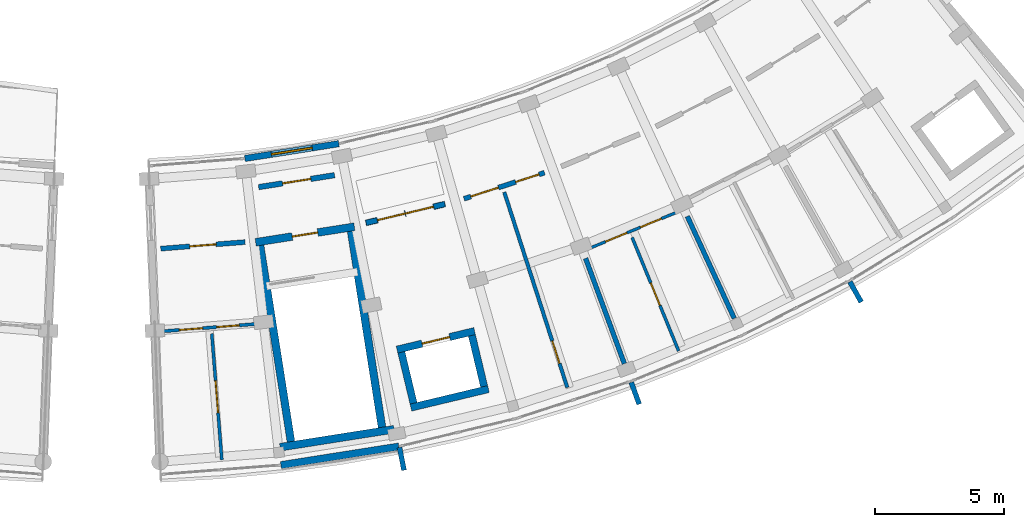
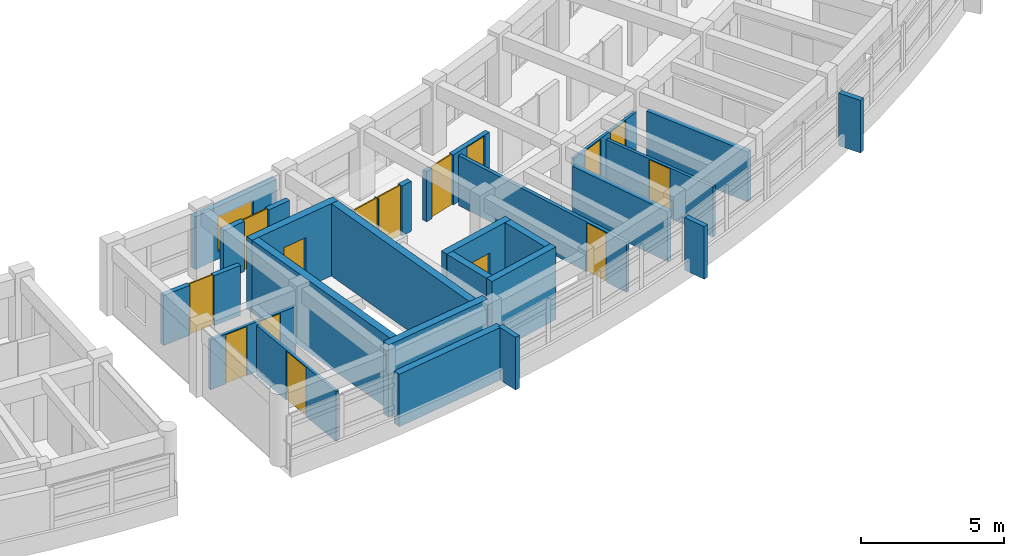
# One storey, part 37 of 54: 24 walls, 15 doors, 1 window, 16 openings.
"""IFC4 building model written with IfcOpenShell, lengths in metres."""

from ifc_helpers import new_model, si_unit, direction, frame, frame_2d, origin, place, context, subcontext, project, spatial, rectangle, extrude, material, layer, layer_set, type_object, element, fill, save


model = new_model("IFC4")

# Units and contexts
model_context = context("Model", 3, precision=1e-05, world=origin(), true_north=direction((0.0, 1.0)))
body_context = subcontext(model_context, "Body", "Model", "MODEL_VIEW")
ifc_project = project(units=[si_unit("LENGTHUNIT", "METRE"), si_unit("AREAUNIT", "SQUARE_METRE"), si_unit("VOLUMEUNIT", "CUBIC_METRE"), si_unit("PLANEANGLEUNIT", "RADIAN"), si_unit("MASSUNIT", "GRAM", prefix="KILO")], contexts=[model_context])

# Site, building, storey
site_placement = place(None, origin())
site = spatial("IfcSite", under=ifc_project, at=site_placement, CompositionType="ELEMENT")
building_placement = place(site_placement, origin())
building = spatial("IfcBuilding", under=site, at=building_placement, Name="Zimvara Arc Housing Community", CompositionType="ELEMENT")
storey_placement = place(building_placement, frame((0.0, 0.0, 23.60009765625)))
storey = spatial("IfcBuildingStorey", under=building, at=storey_placement, Name="L07", CompositionType="ELEMENT", Elevation=23.60009765625)

# Walls
ifc_material_1 = material(Name="Board-Marked Fair-Faced Concrete C35/45", Category="concrete")
ifc_layer_1 = layer(ifc_material_1, 0.195068359375)
ifc_layer_set_1 = layer_set([ifc_layer_1], Name="Board-Marked Fair-Faced Concrete C35/45")
wall_type_1 = type_object("IfcWallType", Name="EWL-PARA-195", PredefinedType="PARAPET", material=ifc_layer_set_1)
wall_1_placement = place(storey_placement, frame((137.521484375, 51.571533203125, 0.0), z_axis=(0.0, 0.0, 1.0), x_axis=(0.194237671596, -0.980954497891, 0.0)))
element("IfcWall", 1, at=wall_1_placement, inside=storey, type_object=wall_type_1, Name="finwall:blkD:L07:out:b2", PredefinedType="PARAPET", context=body_context, shape_type="SweptSolid", body=[
    extrude(rectangle(XDim=0.89990234375, YDim=0.195068359375, at=frame_2d((0.449951171875, 0.0))), origin(), (0.0, 0.0, 1.0), 2.25),
])
for number, where, z_axis, x_axis, name in (
    (2, (146.49755859375, 54.0947265625, 0.0), (0.0, 0.0, 1.0), (0.34529052391, -0.938495846607, 0.0), "finwall:blkD:L07:out:b4"),
    (3, (154.968505859375, 57.990966796875, 0.0), (0.0, 0.0, 1.0), (0.487967253808, -0.872861935939, 0.0), "finwall:blkD:L07:out:b6"),
):
    element("IfcWall", number, at=place(storey_placement, frame(where, z_axis=z_axis, x_axis=x_axis)), inside=storey, type_object=wall_type_1, Name=name, PredefinedType="PARAPET", context=body_context, shape_type="SweptSolid", body=[
        extrude(rectangle(XDim=0.900146484375, YDim=0.195068359375, at=frame_2d((0.4501953125, 0.0))), origin(), (0.0, 0.0, 1.0), 2.25),
    ])

# Wall, opening, window
ifc_material_2 = material(Name="Pigmented Fair-Faced Concrete C35/45", Category="concrete")
ifc_layer_2 = layer(ifc_material_2, 0.2451171875)
ifc_layer_set_2 = layer_set([ifc_layer_2], Name="Pigmented Fair-Faced Concrete C35/45")
wall_type_2 = type_object("IfcWallType", Name="EWL-PIGM-245", PredefinedType="SOLIDWALL", material=ifc_layer_set_2)
wall_2_placement = place(storey_placement, frame((131.5322265625, 62.766845703125, 0.0), z_axis=(0.0, 0.0, 1.0), x_axis=(0.987816646119, 0.155622214512, 0.0)))
wall_2 = element("IfcWall", 4, at=wall_2_placement, inside=storey, type_object=wall_type_2, Name="ewall:blkD:L07:in:b1", PredefinedType="SOLIDWALL", context=body_context, shape_type="SweptSolid", body=[
    extrude(rectangle(XDim=3.68359375, YDim=0.2451171875, at=frame_2d((1.841796875, 0.0))), origin(), (0.0, 0.0, 1.0), 2.25),
])
opening_1_placement = place(wall_2_placement, frame((1.041748046875, 0.0, 0.320068359375)))
opening_1 = element("IfcOpeningElement", 5, at=opening_1_placement, cuts=wall_2, Name="Opening W03", PredefinedType="OPENING", context=body_context, shape_type="SweptSolid", body=[
    extrude(rectangle(XDim=1.60009765625, YDim=1.5, at=frame_2d((0.800048828125, 0.75))), frame((0.0, 0.132568359375, 0.0), z_axis=(0.0, -1.0, 0.0), x_axis=(1.0, 0.0, 0.0)), (0.0, 0.0, 1.0), 0.26513671875),
])
ifc_material_3 = material(Name="Solar Control Low-E Double Glazing", Category="glass")
window_type = type_object("IfcWindowType", Name="WIN-RES-1600x1500", PartitioningType="DOUBLE_PANEL_VERTICAL", PredefinedType="WINDOW", material=ifc_material_3)
window_placement = place(opening_1_placement, origin())
window = element("IfcWindow", 6, at=window_placement, inside=storey, type_object=window_type, Name="win:blkD:L07:in:b1", OverallHeight=1.5, OverallWidth=1.60009765625, PartitioningType="DOUBLE_PANEL_VERTICAL", PredefinedType="WINDOW", context=body_context, shape_type="SweptSolid", body=[
    extrude(rectangle(XDim=1.60009765625, YDim=1.5, at=frame_2d((0.800048828125, 0.75))), frame((0.0, 0.030029296875, 0.0), z_axis=(0.0, -1.0, 0.0), x_axis=(1.0, 0.0, 0.0)), (0.0, 0.0, 1.0), 0.06005859375),
])
fill(opening_1, window)

# Wall
ifc_material_4 = material(Name="Board-Marked Fair-Faced Concrete C35/45", Category="concrete")
ifc_layer_3 = layer(ifc_material_4, 0.281982421875)
ifc_layer_set_3 = layer_set([ifc_layer_3], Name="Board-Marked Fair-Faced Concrete C35/45")
wall_type_3 = type_object("IfcWallType", Name="EWL-VAR-24", PredefinedType="SOLIDWALL", material=ifc_layer_set_3)
wall_3_placement = place(storey_placement, frame((132.927734375, 50.888671875, 0.0), z_axis=(0.0, 0.0, 1.0), x_axis=(0.987828826394, 0.155544880165, 0.0)))
element("IfcWall", 7, at=wall_3_placement, inside=storey, type_object=wall_type_3, Name="ewall:blkD:L07:out:b1", PredefinedType="SOLIDWALL", context=body_context, shape_type="SweptSolid", body=[
    extrude(rectangle(XDim=4.622314453125, YDim=0.281982421875, at=frame_2d((2.31103515625, 0.0))), origin(), (0.0, 0.0, 1.0), 2.25),
])

# Wall, opening, door
ifc_material_5 = material(Name="Concrete C35/45", Category="concrete")
ifc_layer_4 = layer(ifc_material_5, 0.2099609375)
ifc_layer_set_4 = layer_set([ifc_layer_4], Name="Concrete C35/45")
wall_type_4 = type_object("IfcWallType", Name="IWL-CCF-210", PredefinedType="SOLIDWALL", material=ifc_layer_set_4)
wall_4_placement = place(storey_placement, frame((132.065185546875, 61.6572265625, 0.0), z_axis=(0.0, 0.0, 1.0), x_axis=(0.987816121487, 0.155625544594, 0.0)))
wall_4 = element("IfcWall", 8, at=wall_4_placement, inside=storey, type_object=wall_type_4, Name="iwall:blkD:L07:ccf_div:b1", PredefinedType="SOLIDWALL", context=body_context, shape_type="SweptSolid", body=[
    extrude(rectangle(XDim=2.97607421875, YDim=0.2099609375, at=frame_2d((1.488037109375, 0.0))), origin(), (0.0, 0.0, 1.0), 2.139892578125),
])
opening_2_placement = place(wall_4_placement, frame((0.93798828125, 0.0, 0.0)))
opening_2 = element("IfcOpeningElement", 9, at=opening_2_placement, cuts=wall_4, Name="Opening FD-CCF1", PredefinedType="OPENING", context=body_context, shape_type="SweptSolid", body=[
    extrude(rectangle(XDim=1.10009765625, YDim=2.14990234375, at=frame_2d((0.550048828125, 1.074951171875))), frame((0.0, 0.114990234375, 0.0), z_axis=(0.0, -1.0, 0.0), x_axis=(1.0, 0.0, 0.0)), (0.0, 0.0, 1.0), 0.22998046875),
])
ifc_material_6 = material(Name="Anodised Aluminium AW-6063", Category="aluminium")
door_type_1 = type_object("IfcDoorType", Name="IDR-CCF-1100x2150", OperationType="NOTDEFINED", PredefinedType="DOOR", material=ifc_material_6)
door_1_placement = place(opening_2_placement, origin())
door_1 = element("IfcDoor", 10, at=door_1_placement, inside=storey, type_object=door_type_1, Name="idoor:blkD:L07:ccf_in:b1", OperationType="SINGLE_SWING_LEFT", OverallHeight=2.14990234375, OverallWidth=1.10009765625, PredefinedType="DOOR", context=body_context, shape_type="SweptSolid", body=[
    extrude(rectangle(XDim=1.10009765625, YDim=2.14990234375, at=frame_2d((0.550048828125, 1.074951171875))), frame((0.0, 0.02490234375, 0.0), z_axis=(0.0, -1.0, 0.0), x_axis=(1.0, 0.0, 0.0)), (0.0, 0.0, 1.0), 0.050048828125),
])
fill(opening_2, door_1)

# Wall, openings, doors
wall_5_placement = place(storey_placement, frame((136.2265625, 60.272216796875, 0.0), z_axis=(0.0, 0.0, 1.0), x_axis=(0.972564346632, 0.232634029456, 0.0)))
wall_5 = element("IfcWall", 11, at=wall_5_placement, inside=storey, type_object=wall_type_4, Name="iwall:blkD:L07:ll_div:b2", PredefinedType="SOLIDWALL", context=body_context, shape_type="SweptSolid", body=[
    extrude(rectangle(XDim=3.136962890625, YDim=0.2099609375, at=frame_2d((1.568359375, 0.0))), origin(), (0.0, 0.0, 1.0), 2.139892578125),
])
opening_3_placement = place(wall_5_placement, frame((0.449951171875, 0.0, 0.0)))
opening_3 = element("IfcOpeningElement", 12, at=opening_3_placement, cuts=wall_5, Name="Opening FD-CCF1", PredefinedType="OPENING", context=body_context, shape_type="SweptSolid", body=[
    extrude(rectangle(XDim=1.10009765625, YDim=2.14990234375, at=frame_2d((0.550048828125, 1.074951171875))), frame((0.0, 0.114990234375, 0.0), z_axis=(0.0, -1.0, 0.0), x_axis=(1.0, 0.0, 0.0)), (0.0, 0.0, 1.0), 0.22998046875),
])
opening_4_placement = place(wall_5_placement, frame((1.56689453125, 0.0, 0.0)))
opening_4 = element("IfcOpeningElement", 13, at=opening_4_placement, cuts=wall_5, Name="Opening D07", PredefinedType="OPENING", context=body_context, shape_type="SweptSolid", body=[
    extrude(rectangle(XDim=1.1201171875, YDim=2.14990234375, at=frame_2d((0.56005859375, 1.074951171875))), frame((0.0, 0.114990234375, 0.0), z_axis=(0.0, -1.0, 0.0), x_axis=(1.0, 0.0, 0.0)), (0.0, 0.0, 1.0), 0.22998046875),
])
ifc_material_7 = material(Name="Mozambican Hardwood", Category="wood")
door_type_2 = type_object("IfcDoorType", Name="IDR-AMN-1120x2150", OperationType="NOTDEFINED", PredefinedType="DOOR", material=ifc_material_7)
door_2_placement = place(opening_4_placement, origin())
door_2 = element("IfcDoor", 14, at=door_2_placement, inside=storey, type_object=door_type_2, Name="idoor:blkD:L07:rs_in:b2", OperationType="SINGLE_SWING_LEFT", OverallHeight=2.14990234375, OverallWidth=1.1201171875, PredefinedType="DOOR", context=body_context, shape_type="SweptSolid", body=[
    extrude(rectangle(XDim=1.1201171875, YDim=2.14990234375, at=frame_2d((0.56005859375, 1.074951171875))), frame((0.0, 0.02490234375, 0.0), z_axis=(0.0, -1.0, 0.0), x_axis=(1.0, 0.0, 0.0)), (0.0, 0.0, 1.0), 0.050048828125),
])
fill(opening_4, door_2)
door_3_placement = place(opening_3_placement, origin())
door_3 = element("IfcDoor", 15, at=door_3_placement, inside=storey, type_object=door_type_1, Name="idoor:blkD:L07:ll_in:b2", OperationType="SINGLE_SWING_RIGHT", OverallHeight=2.14990234375, OverallWidth=1.10009765625, PredefinedType="DOOR", context=body_context, shape_type="SweptSolid", body=[
    extrude(rectangle(XDim=1.10009765625, YDim=2.14990234375, at=frame_2d((0.550048828125, 1.074951171875))), frame((0.0, 0.02490234375, 0.0), z_axis=(0.0, -1.0, 0.0), x_axis=(1.0, 0.0, 0.0)), (0.0, 0.0, 1.0), 0.050048828125),
])
fill(opening_3, door_3)

# Wall, opening, door
ifc_material_8 = material(Name="Concrete C35/45", Category="concrete")
ifc_layer_5 = layer(ifc_material_8, 0.18994140625)
ifc_layer_set_5 = layer_set([ifc_layer_5], Name="Concrete C35/45")
wall_type_5 = type_object("IfcWallType", Name="IWL-CORR-190", PredefinedType="SOLIDWALL", material=ifc_layer_set_5)
wall_6_placement = place(storey_placement, frame((128.273193359375, 59.2744140625, 0.0), z_axis=(0.0, 0.0, 1.0), x_axis=(0.996982624396, 0.077625038827, 0.0)))
wall_6 = element("IfcWall", 16, at=wall_6_placement, inside=storey, type_object=wall_type_5, Name="iwall:blkD:L07:corr_out:b0", PredefinedType="SOLIDWALL", context=body_context, shape_type="SweptSolid", body=[
    extrude(rectangle(XDim=3.27734375, YDim=0.18994140625, at=frame_2d((1.638671875, 0.0))), origin(), (0.0, 0.0, 1.0), 2.139892578125),
])
opening_5_placement = place(wall_6_placement, frame((1.12841796875, 0.0, 0.0)))
opening_5 = element("IfcOpeningElement", 17, at=opening_5_placement, cuts=wall_6, Name="Opening FD-FL2", PredefinedType="OPENING", context=body_context, shape_type="SweptSolid", body=[
    extrude(rectangle(XDim=1.02001953125, YDim=2.14990234375, at=frame_2d((0.510009765625, 1.074951171875))), frame((0.0, 0.10498046875, 0.0), z_axis=(0.0, -1.0, 0.0), x_axis=(1.0, 0.0, 0.0)), (0.0, 0.0, 1.0), 0.2099609375),
])
ifc_material_9 = material(Name="Mozambican Hardwood", Category="wood")
door_type_3 = type_object("IfcDoorType", Name="IDR-FLAT-1020x2150", OperationType="NOTDEFINED", PredefinedType="DOOR", material=ifc_material_9)
door_4_placement = place(opening_5_placement, origin())
door_4 = element("IfcDoor", 18, at=door_4_placement, inside=storey, type_object=door_type_3, Name="idoor:blkD:L07:flat:b0", OperationType="SINGLE_SWING_LEFT", OverallHeight=2.14990234375, OverallWidth=1.02001953125, PredefinedType="DOOR", context=body_context, shape_type="SweptSolid", body=[
    extrude(rectangle(XDim=1.02001953125, YDim=2.14990234375, at=frame_2d((0.510009765625, 1.074951171875))), frame((0.0, 0.02490234375, 0.0), z_axis=(0.0, -1.0, 0.0), x_axis=(1.0, 0.0, 0.0)), (0.0, 0.0, 1.0), 0.050048828125),
])
fill(opening_5, door_4)

# Wall, openings, doors
wall_7_placement = place(storey_placement, frame((140.018798828125, 61.20751953125, 0.0), z_axis=(0.0, 0.0, 1.0), x_axis=(0.951323803878, 0.308193154005, 0.0)))
wall_7 = element("IfcWall", 19, at=wall_7_placement, inside=storey, type_object=wall_type_5, Name="iwall:blkD:L07:corr_out:b3", PredefinedType="SOLIDWALL", context=body_context, shape_type="SweptSolid", body=[
    extrude(rectangle(XDim=3.277099609375, YDim=0.18994140625, at=frame_2d((1.638671875, 0.0))), origin(), (0.0, 0.0, 1.0), 2.139892578125),
])
opening_6_placement = place(wall_7_placement, frame((0.280029296875, 0.0, 0.0)))
opening_6 = element("IfcOpeningElement", 20, at=opening_6_placement, cuts=wall_7, Name="Opening D07", PredefinedType="OPENING", context=body_context, shape_type="SweptSolid", body=[
    extrude(rectangle(XDim=1.1201171875, YDim=2.14990234375, at=frame_2d((0.56005859375, 1.074951171875))), frame((0.0, 0.10498046875, 0.0), z_axis=(0.0, -1.0, 0.0), x_axis=(1.0, 0.0, 0.0)), (0.0, 0.0, 1.0), 0.2099609375),
])
opening_7_placement = place(wall_7_placement, frame((2.10693359375, 0.0, 0.0)))
opening_7 = element("IfcOpeningElement", 21, at=opening_7_placement, cuts=wall_7, Name="Opening D06", PredefinedType="OPENING", context=body_context, shape_type="SweptSolid", body=[
    extrude(rectangle(XDim=0.949951171875, YDim=2.10009765625, at=frame_2d((0.47509765625, 1.050048828125))), frame((0.0, 0.10498046875, 0.0), z_axis=(0.0, -1.0, 0.0), x_axis=(1.0, 0.0, 0.0)), (0.0, 0.0, 1.0), 0.2099609375),
])
door_5_placement = place(opening_6_placement, origin())
door_5 = element("IfcDoor", 22, at=door_5_placement, inside=storey, type_object=door_type_2, Name="idoor:blkD:L07:amen:b3", OperationType="SINGLE_SWING_RIGHT", OverallHeight=2.14990234375, OverallWidth=1.1201171875, PredefinedType="DOOR", context=body_context, shape_type="SweptSolid", body=[
    extrude(rectangle(XDim=1.1201171875, YDim=2.14990234375, at=frame_2d((0.56005859375, 1.074951171875))), frame((0.0, 0.02490234375, 0.0), z_axis=(0.0, -1.0, 0.0), x_axis=(1.0, 0.0, 0.0)), (0.0, 0.0, 1.0), 0.050048828125),
])
fill(opening_6, door_5)
ifc_material_10 = material(Name="Mozambican Hardwood", Category="wood")
door_type_4 = type_object("IfcDoorType", Name="IDR-AWC-0950x2100", OperationType="NOTDEFINED", PredefinedType="DOOR", material=ifc_material_10)
door_6_placement = place(opening_7_placement, origin())
door_6 = element("IfcDoor", 23, at=door_6_placement, inside=storey, type_object=door_type_4, Name="idoor:blkD:L07:cawc:b3", OperationType="SINGLE_SWING_LEFT", OverallHeight=2.10009765625, OverallWidth=0.949951171875, PredefinedType="DOOR", context=body_context, shape_type="SweptSolid", body=[
    extrude(rectangle(XDim=0.949951171875, YDim=2.10009765625, at=frame_2d((0.47509765625, 1.050048828125))), frame((0.0, 0.02490234375, 0.0), z_axis=(0.0, -1.0, 0.0), x_axis=(1.0, 0.0, 0.0)), (0.0, 0.0, 1.0), 0.050048828125),
])
fill(opening_7, door_6)

# Walls
ifc_material_11 = material(Name="Concrete C35/45", Category="concrete")
ifc_layer_6 = layer(ifc_material_11, 0.18505859375)
ifc_layer_set_6 = layer_set([ifc_layer_6], Name="Concrete C35/45")
wall_type_6 = type_object("IfcWallType", Name="IWL-FLAT-185", PredefinedType="SOLIDWALL", material=ifc_layer_set_6)
for number, where, z_axis, x_axis, name in (
    (24, (144.729736328125, 58.89990234375, 0.0), (0.0, 0.0, 1.0), (0.345273579683, -0.938502080537, 0.0), "iwall:blkD:L07:party:b4"),
    (25, (148.670166015625, 60.528076171875, 0.0), (0.0, 0.0, 1.0), (0.417837051164, -0.908521985796, 0.0), "iwall:blkD:L07:party:b5"),
):
    element("IfcWall", number, at=place(storey_placement, frame(where, z_axis=z_axis, x_axis=x_axis)), inside=storey, type_object=wall_type_6, Name=name, PredefinedType="SOLIDWALL", context=body_context, shape_type="SweptSolid", body=[
        extrude(rectangle(XDim=4.35009765625, YDim=0.18505859375, at=frame_2d((2.175048828125, 0.0))), origin(), (0.0, 0.0, 1.0), 2.139892578125),
    ])

# Wall, openings, doors
ifc_material_12 = material(Name="Painted Acoustic Plasterboard")
ifc_layer_7 = layer(ifc_material_12, 0.110107421875)
ifc_layer_set_7 = layer_set([ifc_layer_7], Name="Painted Acoustic Plasterboard")
wall_type_7 = type_object("IfcWallType", Name="IWL-PART-110", PredefinedType="PARTITIONING", material=ifc_layer_set_7)
wall_8_placement = place(storey_placement, frame((144.9033203125, 59.2958984375, 0.0), z_axis=(0.0, 0.0, 1.0), x_axis=(0.924207914011, 0.381889685223, 0.0)))
wall_8 = element("IfcWall", 26, at=wall_8_placement, inside=storey, type_object=wall_type_7, Name="iwall:blkD:L07:srv:b4", PredefinedType="PARTITIONING", context=body_context, shape_type="SweptSolid", body=[
    extrude(rectangle(XDim=3.64013671875, YDim=0.110107421875, at=frame_2d((1.820068359375, 0.0))), origin(), (0.0, 0.0, 1.0), 2.139892578125),
])
opening_8_placement = place(wall_8_placement, frame((0.64990234375, 0.0, 0.0)))
opening_8 = element("IfcOpeningElement", 27, at=opening_8_placement, cuts=wall_8, Name="Opening D01", PredefinedType="OPENING", context=body_context, shape_type="SweptSolid", body=[
    extrude(rectangle(XDim=0.89990234375, YDim=2.10009765625, at=frame_2d((0.449951171875, 1.050048828125))), frame((0.0, 0.06494140625, 0.0), z_axis=(0.0, -1.0, 0.0), x_axis=(1.0, 0.0, 0.0)), (0.0, 0.0, 1.0), 0.130126953125),
])
opening_9_placement = place(wall_8_placement, frame((2.110107421875, 0.0, 0.0)))
opening_9 = element("IfcOpeningElement", 28, at=opening_9_placement, cuts=wall_8, Name="Opening D05", PredefinedType="OPENING", context=body_context, shape_type="SweptSolid", body=[
    extrude(rectangle(XDim=0.8798828125, YDim=2.10009765625, at=frame_2d((0.43994140625, 1.050048828125))), frame((0.0, 0.06494140625, 0.0), z_axis=(0.0, -1.0, 0.0), x_axis=(1.0, 0.0, 0.0)), (0.0, 0.0, 1.0), 0.130126953125),
])
ifc_material_13 = material(Name="Mozambican Hardwood", Category="wood")
door_type_5 = type_object("IfcDoorType", Name="IDR-RM-0900x2100", OperationType="NOTDEFINED", PredefinedType="DOOR", material=ifc_material_13)
door_7_placement = place(opening_8_placement, origin())
door_7 = element("IfcDoor", 29, at=door_7_placement, inside=storey, type_object=door_type_5, Name="idoor:blkD:L07:kit_liv:b4", OperationType="SINGLE_SWING_RIGHT", OverallHeight=2.10009765625, OverallWidth=0.89990234375, PredefinedType="DOOR", context=body_context, shape_type="SweptSolid", body=[
    extrude(rectangle(XDim=0.89990234375, YDim=2.10009765625, at=frame_2d((0.449951171875, 1.050048828125))), frame((0.0, 0.02490234375, 0.0), z_axis=(0.0, -1.0, 0.0), x_axis=(1.0, 0.0, 0.0)), (0.0, 0.0, 1.0), 0.050048828125),
])
fill(opening_8, door_7)
ifc_material_14 = material(Name="Mozambican Hardwood", Category="wood")
door_type_6 = type_object("IfcDoorType", Name="IDR-WC-0880x2100", OperationType="NOTDEFINED", PredefinedType="DOOR", material=ifc_material_14)
door_8_placement = place(opening_9_placement, origin())
door_8 = element("IfcDoor", 30, at=door_8_placement, inside=storey, type_object=door_type_6, Name="idoor:blkD:L07:bath_d:b4", OperationType="SINGLE_SWING_LEFT", OverallHeight=2.10009765625, OverallWidth=0.8798828125, PredefinedType="DOOR", context=body_context, shape_type="SweptSolid", body=[
    extrude(rectangle(XDim=0.8798828125, YDim=2.10009765625, at=frame_2d((0.43994140625, 1.050048828125))), frame((0.0, 0.02490234375, 0.0), z_axis=(0.0, -1.0, 0.0), x_axis=(1.0, 0.0, 0.0)), (0.0, 0.0, 1.0), 0.050048828125),
])
fill(opening_9, door_8)

# Wall, opening, door
ifc_material_15 = material(Name="Painted Acoustic Plasterboard")
ifc_layer_8 = layer(ifc_material_15, 0.1201171875)
ifc_layer_set_8 = layer_set([ifc_layer_8], Name="Painted Acoustic Plasterboard")
wall_type_8 = type_object("IfcWallType", Name="IWL-PART-120", PredefinedType="PARTITIONING", material=ifc_layer_set_8)
wall_9_placement = place(storey_placement, frame((130.25146484375, 55.97900390625, 0.0), z_axis=(0.0, 0.0, 1.0), x_axis=(0.079073860253, -0.99686875998, 0.0)))
wall_9 = element("IfcWall", 31, at=wall_9_placement, inside=storey, type_object=wall_type_8, Name="iwall:blkD:L07:bed_div:b0", PredefinedType="PARTITIONING", context=body_context, shape_type="SweptSolid", body=[
    extrude(rectangle(XDim=4.89990234375, YDim=0.1201171875, at=frame_2d((2.449951171875, 0.0))), origin(), (0.0, 0.0, 1.0), 2.139892578125),
])
opening_10_placement = place(wall_9_placement, frame((1.830078125, 0.0, 0.0)))
opening_10 = element("IfcOpeningElement", 32, at=opening_10_placement, cuts=wall_9, Name="Opening D19", PredefinedType="OPENING", context=body_context, shape_type="SweptSolid", body=[
    extrude(rectangle(XDim=1.239990234375, YDim=2.10009765625, at=frame_2d((0.6201171875, 1.050048828125))), frame((0.0, 0.070068359375, 0.0), z_axis=(0.0, -1.0, 0.0), x_axis=(1.0, 0.0, 0.0)), (0.0, 0.0, 1.0), 0.14013671875),
])
ifc_material_16 = material(Name="Mozambican Hardwood", Category="wood")
door_type_7 = type_object("IfcDoorType", Name="IDR-MOD-1240x2180", OperationType="NOTDEFINED", PredefinedType="DOOR", material=ifc_material_16)
door_9_placement = place(opening_10_placement, origin())
door_9 = element("IfcDoor", 33, at=door_9_placement, inside=storey, type_object=door_type_7, Name="idoor:blkD:L07:bed_d:b0", OperationType="SINGLE_SWING_RIGHT", OverallHeight=2.10009765625, OverallWidth=1.239990234375, PredefinedType="DOOR", context=body_context, shape_type="SweptSolid", body=[
    extrude(rectangle(XDim=1.239990234375, YDim=2.10009765625, at=frame_2d((0.6201171875, 1.050048828125))), frame((0.0, 0.02490234375, 0.0), z_axis=(0.0, -1.0, 0.0), x_axis=(1.0, 0.0, 0.0)), (0.0, 0.0, 1.0), 0.050048828125),
])
fill(opening_10, door_9)

wall_10_placement = place(storey_placement, frame((146.532958984375, 59.7080078125, 0.0), z_axis=(0.0, 0.0, 1.0), x_axis=(0.379167145653, -0.925328198888, 0.0)))
wall_10 = element("IfcWall", 34, at=wall_10_placement, inside=storey, type_object=wall_type_8, Name="iwall:blkD:L07:bed_div:b4", PredefinedType="PARTITIONING", context=body_context, shape_type="SweptSolid", body=[
    extrude(rectangle(XDim=4.75, YDim=0.1201171875, at=frame_2d((2.375, 0.0))), origin(), (0.0, 0.0, 1.0), 2.139892578125),
])
opening_11_placement = place(wall_10_placement, frame((1.905029296875, 0.0, 0.0)))
opening_11 = element("IfcOpeningElement", 35, at=opening_11_placement, cuts=wall_10, Name="Opening D03", PredefinedType="OPENING", context=body_context, shape_type="SweptSolid", body=[
    extrude(rectangle(XDim=0.93994140625, YDim=2.10009765625, at=frame_2d((0.469970703125, 1.050048828125))), frame((0.0, 0.070068359375, 0.0), z_axis=(0.0, -1.0, 0.0), x_axis=(1.0, 0.0, 0.0)), (0.0, 0.0, 1.0), 0.14013671875),
])
ifc_material_17 = material(Name="Mozambican Hardwood", Category="wood")
door_type_8 = type_object("IfcDoorType", Name="IDR-RM-0940x2100", OperationType="NOTDEFINED", PredefinedType="DOOR", material=ifc_material_17)
door_10_placement = place(opening_11_placement, origin())
door_10 = element("IfcDoor", 36, at=door_10_placement, inside=storey, type_object=door_type_8, Name="idoor:blkD:L07:bed_d:b4", OperationType="SINGLE_SWING_RIGHT", OverallHeight=2.10009765625, OverallWidth=0.93994140625, PredefinedType="DOOR", context=body_context, shape_type="SweptSolid", body=[
    extrude(rectangle(XDim=0.93994140625, YDim=2.10009765625, at=frame_2d((0.469970703125, 1.050048828125))), frame((0.0, 0.02490234375, 0.0), z_axis=(0.0, -1.0, 0.0), x_axis=(1.0, 0.0, 0.0)), (0.0, 0.0, 1.0), 0.050048828125),
])
fill(opening_11, door_10)

# Wall, openings, doors
ifc_material_18 = material(Name="Painted Acoustic Plasterboard")
ifc_layer_9 = layer(ifc_material_18, 0.125)
ifc_layer_set_9 = layer_set([ifc_layer_9], Name="Painted Acoustic Plasterboard")
wall_type_9 = type_object("IfcWallType", Name="IWL-PART-125", PredefinedType="PARTITIONING", material=ifc_layer_set_9)
wall_11_placement = place(storey_placement, frame((128.34619140625, 56.072998046875, 0.0), z_axis=(0.0, 0.0, 1.0), x_axis=(0.996986014478, 0.077581485773, 0.0)))
wall_11 = element("IfcWall", 37, at=wall_11_placement, inside=storey, type_object=wall_type_9, Name="iwall:blkD:L07:srv:b0", PredefinedType="PARTITIONING", context=body_context, shape_type="SweptSolid", body=[
    extrude(rectangle(XDim=3.62841796875, YDim=0.125, at=frame_2d((1.814208984375, 0.0))), origin(), (0.0, 0.0, 1.0), 2.139892578125),
])
opening_12_placement = place(wall_11_placement, frame((0.64990234375, 0.0, 0.0)))
opening_12 = element("IfcOpeningElement", 38, at=opening_12_placement, cuts=wall_11, Name="Opening D01", PredefinedType="OPENING", context=body_context, shape_type="SweptSolid", body=[
    extrude(rectangle(XDim=0.89990234375, YDim=2.10009765625, at=frame_2d((0.449951171875, 1.050048828125))), frame((0.0, 0.072509765625, 0.0), z_axis=(0.0, -1.0, 0.0), x_axis=(1.0, 0.0, 0.0)), (0.0, 0.0, 1.0), 0.14501953125),
])
opening_13_placement = place(wall_11_placement, frame((2.098388671875, 0.0, 0.0)))
opening_13 = element("IfcOpeningElement", 39, at=opening_13_placement, cuts=wall_11, Name="Opening D05", PredefinedType="OPENING", context=body_context, shape_type="SweptSolid", body=[
    extrude(rectangle(XDim=0.8798828125, YDim=2.10009765625, at=frame_2d((0.43994140625, 1.050048828125))), frame((0.0, 0.072509765625, 0.0), z_axis=(0.0, -1.0, 0.0), x_axis=(1.0, 0.0, 0.0)), (0.0, 0.0, 1.0), 0.14501953125),
])
door_11_placement = place(opening_12_placement, origin())
door_11 = element("IfcDoor", 40, at=door_11_placement, inside=storey, type_object=door_type_5, Name="idoor:blkD:L07:kit_liv:b0", OperationType="SINGLE_SWING_RIGHT", OverallHeight=2.10009765625, OverallWidth=0.89990234375, PredefinedType="DOOR", context=body_context, shape_type="SweptSolid", body=[
    extrude(rectangle(XDim=0.89990234375, YDim=2.10009765625, at=frame_2d((0.449951171875, 1.050048828125))), frame((0.0, 0.02490234375, 0.0), z_axis=(0.0, -1.0, 0.0), x_axis=(1.0, 0.0, 0.0)), (0.0, 0.0, 1.0), 0.050048828125),
])
fill(opening_12, door_11)
door_12_placement = place(opening_13_placement, origin())
door_12 = element("IfcDoor", 41, at=door_12_placement, inside=storey, type_object=door_type_6, Name="idoor:blkD:L07:bath_d:b0", OperationType="SINGLE_SWING_LEFT", OverallHeight=2.10009765625, OverallWidth=0.8798828125, PredefinedType="DOOR", context=body_context, shape_type="SweptSolid", body=[
    extrude(rectangle(XDim=0.8798828125, YDim=2.10009765625, at=frame_2d((0.43994140625, 1.050048828125))), frame((0.0, 0.02490234375, 0.0), z_axis=(0.0, -1.0, 0.0), x_axis=(1.0, 0.0, 0.0)), (0.0, 0.0, 1.0), 0.050048828125),
])
fill(opening_13, door_12)

# Wall, opening, door
ifc_material_19 = material(Name="Painted Acoustic Plasterboard")
ifc_layer_10 = layer(ifc_material_19, 0.139892578125)
ifc_layer_set_10 = layer_set([ifc_layer_10], Name="Painted Acoustic Plasterboard")
wall_type_10 = type_object("IfcWallType", Name="IWL-PART-140", PredefinedType="PARTITIONING", material=ifc_layer_set_10)
wall_12_placement = place(storey_placement, frame((141.581298828125, 61.46240234375, 0.0), z_axis=(0.0, 0.0, 1.0), x_axis=(0.306824216212, -0.951766200464, 0.0)))
wall_12 = element("IfcWall", 42, at=wall_12_placement, inside=storey, type_object=wall_type_10, Name="iwall:blkD:L07:amen_div:b3", PredefinedType="PARTITIONING", context=body_context, shape_type="SweptSolid", body=[
    extrude(rectangle(XDim=7.949951171875, YDim=0.139892578125, at=frame_2d((3.97509765625, 0.0))), origin(), (0.0, 0.0, 1.0), 2.139892578125),
])
opening_14_placement = place(wall_12_placement, frame((6.050048828125, 0.0, 0.0)))
opening_14 = element("IfcOpeningElement", 43, at=opening_14_placement, cuts=wall_12, Name="Opening D02", PredefinedType="OPENING", context=body_context, shape_type="SweptSolid", body=[
    extrude(rectangle(XDim=0.919921875, YDim=2.10009765625, at=frame_2d((0.4599609375, 1.050048828125))), frame((0.0, 0.079833984375, 0.0), z_axis=(0.0, -1.0, 0.0), x_axis=(1.0, 0.0, 0.0)), (0.0, 0.0, 1.0), 0.159912109375),
])
ifc_material_20 = material(Name="Mozambican Hardwood", Category="wood")
door_type_9 = type_object("IfcDoorType", Name="IDR-RM-0920x2100", OperationType="NOTDEFINED", PredefinedType="DOOR", material=ifc_material_20)
door_13_placement = place(opening_14_placement, origin())
door_13 = element("IfcDoor", 44, at=door_13_placement, inside=storey, type_object=door_type_9, Name="idoor:blkD:L07:laund_d:b3", OperationType="SINGLE_SWING_RIGHT", OverallHeight=2.10009765625, OverallWidth=0.919921875, PredefinedType="DOOR", context=body_context, shape_type="SweptSolid", body=[
    extrude(rectangle(XDim=0.919921875, YDim=2.10009765625, at=frame_2d((0.4599609375, 1.050048828125))), frame((0.0, 0.02490234375, 0.0), z_axis=(0.0, -1.0, 0.0), x_axis=(1.0, 0.0, 0.0)), (0.0, 0.0, 1.0), 0.050048828125),
])
fill(opening_14, door_13)

ifc_material_21 = material(Name="Concrete C40/50", Category="concrete")
ifc_layer_11 = layer(ifc_material_21, 0.280029296875)
ifc_layer_set_11 = layer_set([ifc_layer_11], Name="Concrete C40/50")
wall_type_11 = type_object("IfcWallType", Name="WL-CORE-280", PredefinedType="SHEAR", material=ifc_layer_set_11)
wall_13_placement = place(storey_placement, frame((137.4248046875, 55.3623046875, 0.0), z_axis=(0.0, 0.0, 1.0), x_axis=(0.972573452388, 0.232595958069, 0.0)))
wall_13 = element("IfcWall", 45, at=wall_13_placement, inside=storey, type_object=wall_type_11, Name="lwall:LP-D1:L07:front", PredefinedType="SHEAR", context=body_context, shape_type="SweptSolid", body=[
    extrude(rectangle(XDim=3.090087890625, YDim=0.280029296875, at=frame_2d((1.544921875, 0.0))), origin(), (0.0, 0.0, 1.0), 3.099853515625),
])
opening_15_placement = place(wall_13_placement, frame((0.9951171875, 0.0, 0.0)))
opening_15 = element("IfcOpeningElement", 46, at=opening_15_placement, cuts=wall_13, Name="Opening LD-LP-D1", PredefinedType="OPENING", context=body_context, shape_type="SweptSolid", body=[
    extrude(rectangle(XDim=1.10009765625, YDim=2.14990234375, at=frame_2d((0.550048828125, 1.074951171875))), frame((0.0, 0.14990234375, 0.0), z_axis=(0.0, -1.0, 0.0), x_axis=(1.0, 0.0, 0.0)), (0.0, 0.0, 1.0), 0.300048828125),
])
ifc_material_22 = material(Name="Anodised Aluminium AW-6063", Category="aluminium")
door_type_10 = type_object("IfcDoorType", Name="IDR-LD-1100x2150", OperationType="DOUBLE_DOOR_SLIDING", PredefinedType="DOOR", material=ifc_material_22)
door_14_placement = place(opening_15_placement, origin())
door_14 = element("IfcDoor", 47, at=door_14_placement, inside=storey, type_object=door_type_10, Name="Lift LP-D1 Sliding Landing Door L07", OperationType="DOUBLE_DOOR_SLIDING", OverallHeight=2.14990234375, OverallWidth=1.10009765625, PredefinedType="DOOR", context=body_context, shape_type="SweptSolid", body=[
    extrude(rectangle(XDim=1.10009765625, YDim=2.14990234375, at=frame_2d((0.550048828125, 1.074951171875))), frame((0.0, 0.02490234375, 0.0), z_axis=(0.0, -1.0, 0.0), x_axis=(1.0, 0.0, 0.0)), (0.0, 0.0, 1.0), 0.050048828125),
])
fill(opening_15, door_14)

# Walls
wall_14_placement = place(storey_placement, frame((137.962158203125, 53.11572265625, 0.0), z_axis=(0.0, 0.0, 1.0), x_axis=(0.972573452388, 0.232595958069, 0.0)))
element("IfcWall", 48, at=wall_14_placement, inside=storey, type_object=wall_type_11, Name="lwall:LP-D1:L07:back", PredefinedType="SHEAR", context=body_context, shape_type="SweptSolid", body=[
    extrude(rectangle(XDim=3.090087890625, YDim=0.280029296875, at=frame_2d((1.544921875, 0.0))), origin(), (0.0, 0.0, 1.0), 3.099853515625),
])
for number, where, z_axis, x_axis, name in (
    (49, (137.593505859375, 55.2587890625, 0.0), (0.0, 0.0, 1.0), (0.232590524316, -0.972574751882, 0.0), "lwall:LP-D1:L07:left"),
    (50, (140.326416015625, 55.912353515625, 0.0), (0.0, 0.0, 1.0), (0.232590524316, -0.972574751882, 0.0), "lwall:LP-D1:L07:right"),
):
    element("IfcWall", number, at=place(storey_placement, frame(where, z_axis=z_axis, x_axis=x_axis)), inside=storey, type_object=wall_type_11, Name=name, PredefinedType="SHEAR", context=body_context, shape_type="SweptSolid", body=[
        extrude(rectangle(XDim=2.030029296875, YDim=0.280029296875, at=frame_2d((1.01513671875, 0.0))), origin(), (0.0, 0.0, 1.0), 3.099853515625),
    ])

# Wall, opening, door
ifc_material_23 = material(Name="Concrete C40/50", Category="concrete")
ifc_layer_12 = layer(ifc_material_23, 0.300048828125)
ifc_layer_set_12 = layer_set([ifc_layer_12], Name="Concrete C40/50")
wall_type_12 = type_object("IfcWallType", Name="WL-CORE-300", PredefinedType="SHEAR", material=ifc_layer_set_12)
wall_15_placement = place(storey_placement, frame((131.948974609375, 59.520751953125, 0.0), z_axis=(0.0, 0.0, 1.0), x_axis=(0.98782579805, 0.155564111245, 0.0)))
wall_15 = element("IfcWall", 51, at=wall_15_placement, inside=storey, type_object=wall_type_12, Name="cwall:ST-D1:L07:near", PredefinedType="SHEAR", context=body_context, shape_type="SweptSolid", body=[
    extrude(rectangle(XDim=3.8701171875, YDim=0.300048828125, at=frame_2d((1.93505859375, 0.0))), origin(), (0.0, 0.0, 1.0), 3.099853515625),
])
opening_16_placement = place(wall_15_placement, frame((1.43505859375, 0.0, 0.0)))
opening_16 = element("IfcOpeningElement", 52, at=opening_16_placement, cuts=wall_15, Name="Opening FD-ST1", PredefinedType="OPENING", context=body_context, shape_type="SweptSolid", body=[
    extrude(rectangle(XDim=1.0, YDim=2.14990234375, at=frame_2d((0.5, 1.074951171875))), frame((0.0, 0.159912109375, 0.0), z_axis=(0.0, -1.0, 0.0), x_axis=(1.0, 0.0, 0.0)), (0.0, 0.0, 1.0), 0.320068359375),
])
ifc_material_24 = material(Name="Anodised Aluminium AW-6063", Category="aluminium")
door_type_11 = type_object("IfcDoorType", Name="IDR-ST-1000x2150", OperationType="NOTDEFINED", PredefinedType="DOOR", material=ifc_material_24)
door_15_placement = place(opening_16_placement, origin())
door_15 = element("IfcDoor", 53, at=door_15_placement, inside=storey, type_object=door_type_11, Name="idoor:ST-D1:L07:entry", OperationType="SINGLE_SWING_LEFT", OverallHeight=2.14990234375, OverallWidth=1.0, PredefinedType="DOOR", context=body_context, shape_type="SweptSolid", body=[
    extrude(rectangle(XDim=1.0, YDim=2.14990234375, at=frame_2d((0.5, 1.074951171875))), frame((0.0, 0.02490234375, 0.0), z_axis=(0.0, -1.0, 0.0), x_axis=(1.0, 0.0, 0.0)), (0.0, 0.0, 1.0), 0.050048828125),
])
fill(opening_16, door_15)

# Walls
wall_16_placement = place(storey_placement, frame((132.895751953125, 51.581298828125, 0.0), z_axis=(0.0, 0.0, 1.0), x_axis=(0.987819142769, 0.155606366126, 0.0)))
element("IfcWall", 54, at=wall_16_placement, inside=storey, type_object=wall_type_12, Name="cwall:ST-D1:L07:far", PredefinedType="SHEAR", context=body_context, shape_type="SweptSolid", body=[
    extrude(rectangle(XDim=4.469970703125, YDim=0.300048828125, at=frame_2d((2.23486328125, 0.0))), origin(), (0.0, 0.0, 1.0), 3.099853515625),
])
wall_17_placement = place(storey_placement, frame((132.12060546875, 59.39599609375, 0.0), z_axis=(0.0, 0.0, 1.0), x_axis=(0.155563141844, -0.987825950712, 0.0)))
element("IfcWall", 55, at=wall_17_placement, inside=storey, type_object=wall_type_12, Name="cwall:ST-D1:L07:left", PredefinedType="SHEAR", context=body_context, shape_type="SweptSolid", body=[
    extrude(rectangle(XDim=7.68994140625, YDim=0.300048828125, at=frame_2d((3.844970703125, 0.0))), origin(), (0.0, 0.0, 1.0), 3.099853515625),
])
wall_18_placement = place(storey_placement, frame((135.647216796875, 59.951171875, 0.0), z_axis=(0.0, 0.0, 1.0), x_axis=(0.155568020624, -0.987825182388, 0.0)))
element("IfcWall", 56, at=wall_18_placement, inside=storey, type_object=wall_type_12, Name="cwall:ST-D1:L07:right", PredefinedType="SHEAR", context=body_context, shape_type="SweptSolid", body=[
    extrude(rectangle(XDim=7.689697265625, YDim=0.300048828125, at=frame_2d((3.8447265625, 0.0))), origin(), (0.0, 0.0, 1.0), 3.099853515625),
])

save(model, "model.ifc")
